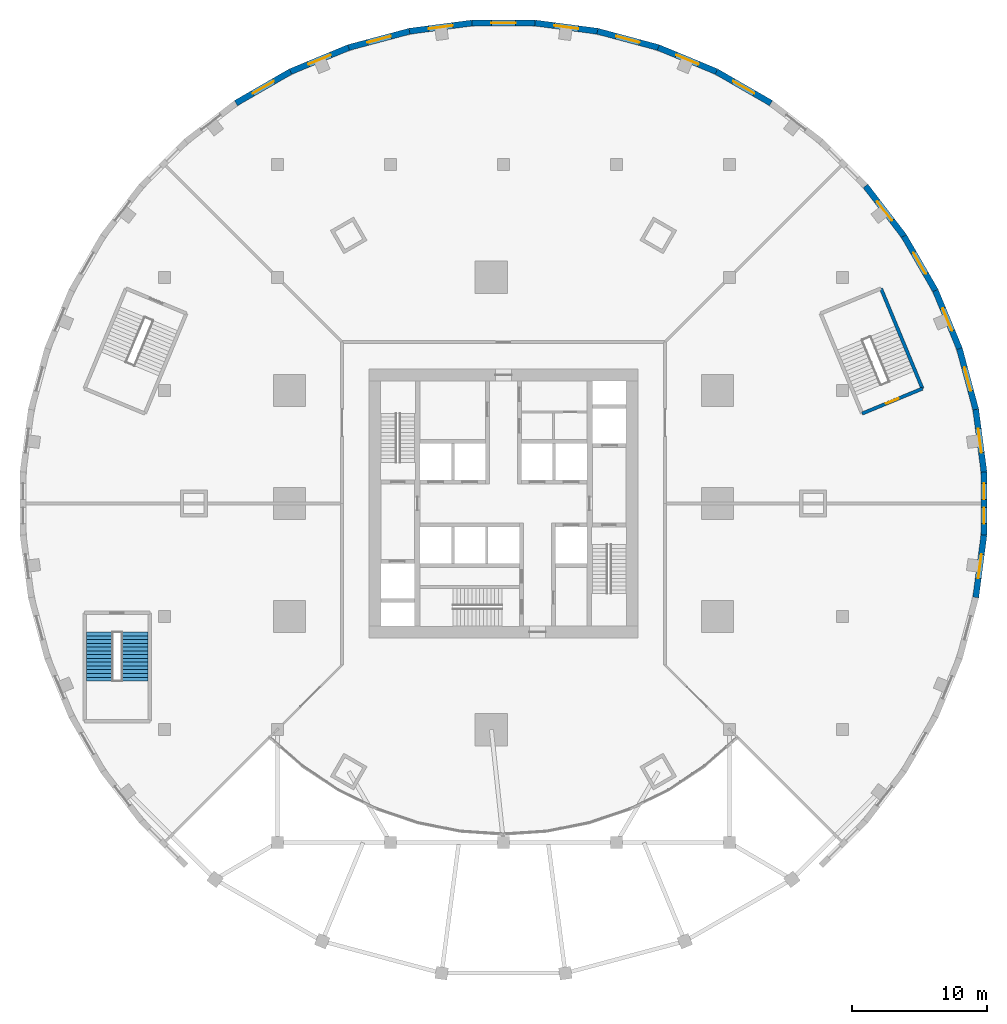
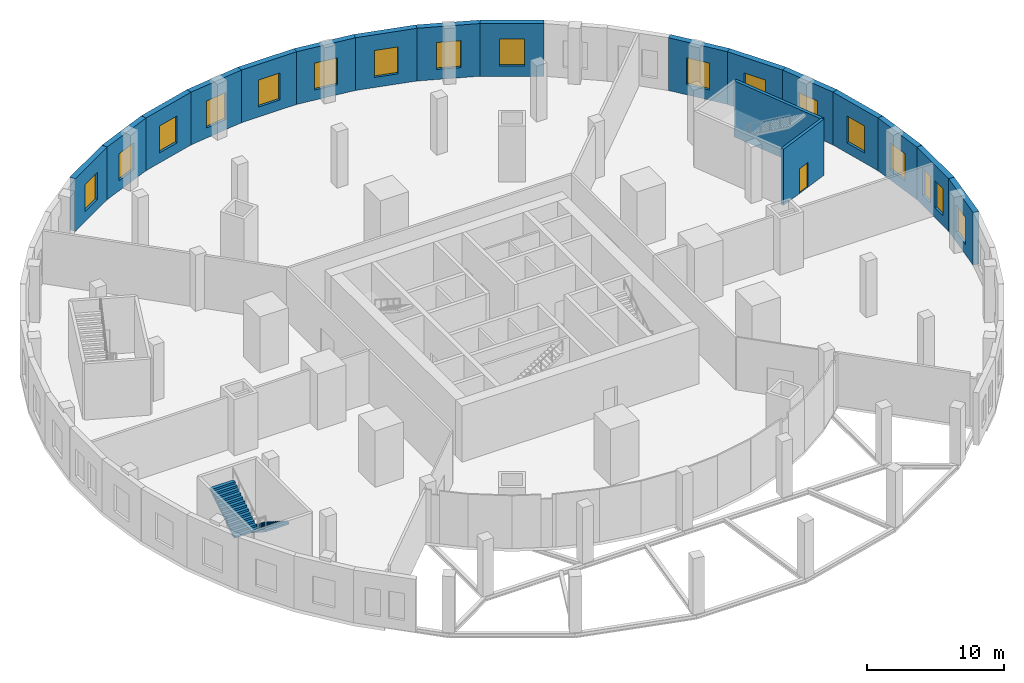
# One storey, part 7 of 11: 18 walls, 17 windows, 2 stair flights, 1 door, 18 openings, 1 element without a shape of its own.
"""IFC4 building model written with IfcOpenShell, lengths in metres."""

from ifc_helpers import new_model, si_unit, direction, frame, frame_2d, origin, place, context, subcontext, project, spatial, polyline, rectangle, outline, extrude, material, layer, layer_set, type_object, element, fill, aggregate, save


model = new_model("IFC4")

# Units and contexts
model_context = context("Model", 3, precision=1e-05, world=origin(), true_north=direction((0.0, 1.0)))
body_context = subcontext(model_context, "Body", "Model", "MODEL_VIEW")
ifc_project = project(units=[si_unit("LENGTHUNIT", "METRE"), si_unit("AREAUNIT", "SQUARE_METRE"), si_unit("VOLUMEUNIT", "CUBIC_METRE"), si_unit("PLANEANGLEUNIT", "RADIAN"), si_unit("MASSUNIT", "GRAM", prefix="KILO")], contexts=[model_context])

# Site, building, storey
site_placement = place(None, origin())
site = spatial("IfcSite", under=ifc_project, at=site_placement, CompositionType="ELEMENT")
building_placement = place(site_placement, origin())
building = spatial("IfcBuilding", under=site, at=building_placement, Name="Golbaran Civic Tower", CompositionType="ELEMENT")
storey_placement = place(building_placement, frame((0.0, 0.0, 11.0)))
storey = spatial("IfcBuildingStorey", under=building, at=storey_placement, Name="L02", CompositionType="ELEMENT", Elevation=11.0)

# Wall, opening, door
ifc_material_1 = material(Name="Concrete C50/60", Category="concrete")
ifc_layer_1 = layer(ifc_material_1, 0.25, Name="Concrete C50/60")
ifc_layer_set_1 = layer_set([ifc_layer_1], Name="Concrete C50/60")
wall_type_1 = type_object("IfcWallType", Name="STAIR ENCLOSURE WALL CONCRETE 250", PredefinedType="SOLIDWALL", material=ifc_layer_set_1)
wall_1_placement = place(storey_placement, frame((31.12744140625, 8.536865234375, 0.0), z_axis=(0.0, 0.0, 1.0), x_axis=(-0.923880627248, -0.382680789426, 0.0)))
wall_1 = element("IfcWall", 1, at=wall_1_placement, inside=storey, type_object=wall_type_1, Name="Stair P1 enclosure A L02", PredefinedType="SOLIDWALL", context=body_context, shape_type="SweptSolid", body=[
    extrude(rectangle(XDim=4.849853515625, YDim=0.25, at=frame_2d((2.4248046875, 0.0))), origin(), (0.0, 0.0, 1.0), 5.0),
])
opening_1_placement = place(wall_1_placement, frame((1.925048828125, 0.0, 0.0)))
opening_1 = element("IfcOpeningElement", 2, at=opening_1_placement, cuts=wall_1, Name="Opening L02.P1", PredefinedType="OPENING", context=body_context, shape_type="SweptSolid", body=[
    extrude(rectangle(XDim=1.0, YDim=2.199951171875, at=frame_2d((0.5, 1.10009765625))), frame((0.0, 0.135009765625, 0.0), z_axis=(0.0, -1.0, 0.0), x_axis=(1.0, 0.0, 0.0)), (0.0, 0.0, 1.0), 0.27001953125),
])
ifc_material_2 = material(Name="Timber door set in steel frame", Category="steel")
door_type = type_object("IfcDoorType", Name="STAIR DOOR 1000x2200", OperationType="SINGLE_SWING_LEFT", PredefinedType="DOOR", material=ifc_material_2)
door_placement = place(opening_1_placement, origin())
door = element("IfcDoor", 3, at=door_placement, inside=storey, type_object=door_type, Name="Stair P1 door", OperationType="SINGLE_SWING_RIGHT", OverallHeight=2.199951171875, OverallWidth=1.0, PredefinedType="DOOR", context=body_context, shape_type="SweptSolid", body=[
    extrude(rectangle(XDim=1.0, YDim=2.199951171875, at=frame_2d((0.5, 1.10009765625))), frame((0.0, 0.02490234375, 0.0), z_axis=(0.0, -1.0, 0.0), x_axis=(1.0, 0.0, 0.0)), (0.0, 0.0, 1.0), 0.050048828125),
])
fill(opening_1, door)

# Wall
wall_2_placement = place(storey_placement, frame((28.046875, 15.97412109375, 0.0), z_axis=(0.0, 0.0, 1.0), x_axis=(0.382678572144, -0.923881545666, 0.0)))
element("IfcWall", 4, at=wall_2_placement, inside=storey, type_object=wall_type_1, Name="Stair P1 enclosure D L02", PredefinedType="SOLIDWALL", context=body_context, shape_type="SweptSolid", body=[
    extrude(rectangle(XDim=8.050048828125, YDim=0.25, at=frame_2d((4.02490234375, 0.0))), origin(), (0.0, 0.0, 1.0), 5.0),
])

# Wall, opening, window
ifc_material_3 = material(Name="Terracotta brick", Category="masonry")
ifc_layer_2 = layer(ifc_material_3, 0.449951171875, Name="Terracotta brick")
ifc_layer_set_2 = layer_set([ifc_layer_2], Name="Terracotta brick")
wall_type_2 = type_object("IfcWallType", Name="TERRACOTTA BRICK FACADE WALL 450", PredefinedType="SOLIDWALL", material=ifc_layer_set_2)
wall_3_placement = place(storey_placement, frame((35.698486328125, 2.33984375, 0.0), z_axis=(0.0, 0.0, 1.0), x_axis=(-0.130536838198, 0.991443459746, 0.0)))
wall_3 = element("IfcWall", 5, at=wall_3_placement, inside=storey, type_object=wall_type_2, Name="Podium wall L02 facet 1", PredefinedType="SOLIDWALL", context=body_context, shape_type="SweptSolid", body=[
    extrude(rectangle(XDim=4.679443359375, YDim=0.449951171875, at=frame_2d((2.33984375, 0.0))), origin(), (0.0, 0.0, 1.0), 4.699951171875),
])
opening_2_placement = place(wall_3_placement, frame((1.439697265625, 0.0, 0.89990234375)))
opening_2 = element("IfcOpeningElement", 6, at=opening_2_placement, cuts=wall_3, Name="Opening L02.W01", PredefinedType="OPENING", context=body_context, shape_type="SweptSolid", body=[
    extrude(rectangle(XDim=1.800048828125, YDim=2.39990234375, at=frame_2d((0.89990234375, 1.199951171875))), frame((0.0, 0.23486328125, 0.0), z_axis=(0.0, -1.0, 0.0), x_axis=(1.0, 0.0, 0.0)), (0.0, 0.0, 1.0), 0.469970703125),
])
ifc_material_4 = material(Name="Aluminium frame, clear glass", Category="aluminium")
window_type_1 = type_object("IfcWindowType", Name="PODIUM WINDOW 1800x2400", PartitioningType="SINGLE_PANEL", PredefinedType="WINDOW", material=ifc_material_4)
window_1_placement = place(opening_2_placement, origin())
window_1 = element("IfcWindow", 7, at=window_1_placement, inside=storey, type_object=window_type_1, Name="Podium window L02 facet 1", OverallHeight=2.39990234375, OverallWidth=1.800048828125, PartitioningType="SINGLE_PANEL", PredefinedType="WINDOW", context=body_context, shape_type="SweptSolid", body=[
    extrude(rectangle(XDim=1.800048828125, YDim=2.39990234375, at=frame_2d((0.89990234375, 1.199951171875))), frame((0.0, 0.030029296875, 0.0), z_axis=(0.0, -1.0, 0.0), x_axis=(1.0, 0.0, 0.0)), (0.0, 0.0, 1.0), 0.06005859375),
])
fill(opening_2, window_1)

wall_4_placement = place(storey_placement, frame((35.087646484375, 6.979248046875, 0.0), z_axis=(0.0, 0.0, 1.0), x_axis=(-0.258815185258, 0.965926860523, 0.0)))
wall_4 = element("IfcWall", 8, at=wall_4_placement, inside=storey, type_object=wall_type_2, Name="Podium wall L02 facet 2", PredefinedType="SOLIDWALL", context=body_context, shape_type="SweptSolid", body=[
    extrude(rectangle(XDim=4.6796875, YDim=0.449951171875, at=frame_2d((2.33984375, 0.0))), origin(), (0.0, 0.0, 1.0), 4.699951171875),
])
opening_3_placement = place(wall_4_placement, frame((1.439697265625, 0.0, 0.89990234375)))
opening_3 = element("IfcOpeningElement", 9, at=opening_3_placement, cuts=wall_4, Name="Opening L02.W02", PredefinedType="OPENING", context=body_context, shape_type="SweptSolid", body=[
    extrude(rectangle(XDim=1.800048828125, YDim=2.39990234375, at=frame_2d((0.89990234375, 1.199951171875))), frame((0.0, 0.23486328125, 0.0), z_axis=(0.0, -1.0, 0.0), x_axis=(1.0, 0.0, 0.0)), (0.0, 0.0, 1.0), 0.469970703125),
])
window_2_placement = place(opening_3_placement, origin())
window_2 = element("IfcWindow", 10, at=window_2_placement, inside=storey, type_object=window_type_1, Name="Podium window L02 facet 2", OverallHeight=2.39990234375, OverallWidth=1.800048828125, PartitioningType="SINGLE_PANEL", PredefinedType="WINDOW", context=body_context, shape_type="SweptSolid", body=[
    extrude(rectangle(XDim=1.800048828125, YDim=2.39990234375, at=frame_2d((0.89990234375, 1.199951171875))), frame((0.0, 0.030029296875, 0.0), z_axis=(0.0, -1.0, 0.0), x_axis=(1.0, 0.0, 0.0)), (0.0, 0.0, 1.0), 0.06005859375),
])
fill(opening_3, window_2)

wall_5_placement = place(storey_placement, frame((33.87646484375, 11.49951171875, 0.0), z_axis=(0.0, 0.0, 1.0), x_axis=(-0.382669718086, 0.923885213032, 0.0)))
wall_5 = element("IfcWall", 11, at=wall_5_placement, inside=storey, type_object=wall_type_2, Name="Podium wall L02 facet 3", PredefinedType="SOLIDWALL", context=body_context, shape_type="SweptSolid", body=[
    extrude(rectangle(XDim=4.6796875, YDim=0.449951171875, at=frame_2d((2.33984375, 0.0))), origin(), (0.0, 0.0, 1.0), 4.699951171875),
])
opening_4_placement = place(wall_5_placement, frame((1.439697265625, 0.0, 0.89990234375)))
opening_4 = element("IfcOpeningElement", 12, at=opening_4_placement, cuts=wall_5, Name="Opening L02.W03", PredefinedType="OPENING", context=body_context, shape_type="SweptSolid", body=[
    extrude(rectangle(XDim=1.800048828125, YDim=2.39990234375, at=frame_2d((0.89990234375, 1.199951171875))), frame((0.0, 0.23486328125, 0.0), z_axis=(0.0, -1.0, 0.0), x_axis=(1.0, 0.0, 0.0)), (0.0, 0.0, 1.0), 0.469970703125),
])
window_3_placement = place(opening_4_placement, origin())
window_3 = element("IfcWindow", 13, at=window_3_placement, inside=storey, type_object=window_type_1, Name="Podium window L02 facet 3", OverallHeight=2.39990234375, OverallWidth=1.800048828125, PartitioningType="SINGLE_PANEL", PredefinedType="WINDOW", context=body_context, shape_type="SweptSolid", body=[
    extrude(rectangle(XDim=1.800048828125, YDim=2.39990234375, at=frame_2d((0.89990234375, 1.199951171875))), frame((0.0, 0.030029296875, 0.0), z_axis=(0.0, -1.0, 0.0), x_axis=(1.0, 0.0, 0.0)), (0.0, 0.0, 1.0), 0.06005859375),
])
fill(opening_4, window_3)

wall_6_placement = place(storey_placement, frame((32.085693359375, 15.822998046875, 0.0), z_axis=(0.0, 0.0, 1.0), x_axis=(-0.500022025083, 0.866012687223, 0.0)))
wall_6 = element("IfcWall", 14, at=wall_6_placement, inside=storey, type_object=wall_type_2, Name="Podium wall L02 facet 4", PredefinedType="SOLIDWALL", context=body_context, shape_type="SweptSolid", body=[
    extrude(rectangle(XDim=4.679443359375, YDim=0.449951171875, at=frame_2d((2.33984375, 0.0))), origin(), (0.0, 0.0, 1.0), 4.699951171875),
])
opening_5_placement = place(wall_6_placement, frame((1.439697265625, 0.0, 0.89990234375)))
opening_5 = element("IfcOpeningElement", 15, at=opening_5_placement, cuts=wall_6, Name="Opening L02.W04", PredefinedType="OPENING", context=body_context, shape_type="SweptSolid", body=[
    extrude(rectangle(XDim=1.800048828125, YDim=2.39990234375, at=frame_2d((0.89990234375, 1.199951171875))), frame((0.0, 0.23486328125, 0.0), z_axis=(0.0, -1.0, 0.0), x_axis=(1.0, 0.0, 0.0)), (0.0, 0.0, 1.0), 0.469970703125),
])
window_4_placement = place(opening_5_placement, origin())
window_4 = element("IfcWindow", 16, at=window_4_placement, inside=storey, type_object=window_type_1, Name="Podium window L02 facet 4", OverallHeight=2.39990234375, OverallWidth=1.800048828125, PartitioningType="SINGLE_PANEL", PredefinedType="WINDOW", context=body_context, shape_type="SweptSolid", body=[
    extrude(rectangle(XDim=1.800048828125, YDim=2.39990234375, at=frame_2d((0.89990234375, 1.199951171875))), frame((0.0, 0.030029296875, 0.0), z_axis=(0.0, -1.0, 0.0), x_axis=(1.0, 0.0, 0.0)), (0.0, 0.0, 1.0), 0.06005859375),
])
fill(opening_5, window_4)

wall_7_placement = place(storey_placement, frame((29.745849609375, 19.87548828125, 0.0), z_axis=(0.0, 0.0, 1.0), x_axis=(-0.608769916927, 0.79334682721, 0.0)))
wall_7 = element("IfcWall", 17, at=wall_7_placement, inside=storey, type_object=wall_type_2, Name="Podium wall L02 facet 5", PredefinedType="SOLIDWALL", context=body_context, shape_type="SweptSolid", body=[
    extrude(rectangle(XDim=4.6796875, YDim=0.449951171875, at=frame_2d((2.33984375, 0.0))), origin(), (0.0, 0.0, 1.0), 4.699951171875),
])
opening_6_placement = place(wall_7_placement, frame((1.439697265625, 0.0, 0.89990234375)))
opening_6 = element("IfcOpeningElement", 18, at=opening_6_placement, cuts=wall_7, Name="Opening L02.W05", PredefinedType="OPENING", context=body_context, shape_type="SweptSolid", body=[
    extrude(rectangle(XDim=1.800048828125, YDim=2.39990234375, at=frame_2d((0.89990234375, 1.199951171875))), frame((0.0, 0.23486328125, 0.0), z_axis=(0.0, -1.0, 0.0), x_axis=(1.0, 0.0, 0.0)), (0.0, 0.0, 1.0), 0.469970703125),
])
window_5_placement = place(opening_6_placement, origin())
window_5 = element("IfcWindow", 19, at=window_5_placement, inside=storey, type_object=window_type_1, Name="Podium window L02 facet 5", OverallHeight=2.39990234375, OverallWidth=1.800048828125, PartitioningType="SINGLE_PANEL", PredefinedType="WINDOW", context=body_context, shape_type="SweptSolid", body=[
    extrude(rectangle(XDim=1.800048828125, YDim=2.39990234375, at=frame_2d((0.89990234375, 1.199951171875))), frame((0.0, 0.030029296875, 0.0), z_axis=(0.0, -1.0, 0.0), x_axis=(1.0, 0.0, 0.0)), (0.0, 0.0, 1.0), 0.06005859375),
])
fill(opening_6, window_5)

wall_8_placement = place(storey_placement, frame((19.87548828125, 29.745849609375, 0.0), z_axis=(0.0, 0.0, 1.0), x_axis=(-0.866012687223, 0.500022025083, 0.0)))
wall_8 = element("IfcWall", 20, at=wall_8_placement, inside=storey, type_object=wall_type_2, Name="Podium wall L02 facet 8", PredefinedType="SOLIDWALL", context=body_context, shape_type="SweptSolid", body=[
    extrude(rectangle(XDim=4.679443359375, YDim=0.449951171875, at=frame_2d((2.33984375, 0.0))), origin(), (0.0, 0.0, 1.0), 4.699951171875),
])
opening_7_placement = place(wall_8_placement, frame((1.439697265625, 0.0, 0.89990234375)))
opening_7 = element("IfcOpeningElement", 21, at=opening_7_placement, cuts=wall_8, Name="Opening L02.W09", PredefinedType="OPENING", context=body_context, shape_type="SweptSolid", body=[
    extrude(rectangle(XDim=1.800048828125, YDim=2.39990234375, at=frame_2d((0.89990234375, 1.199951171875))), frame((0.0, 0.23486328125, 0.0), z_axis=(0.0, -1.0, 0.0), x_axis=(1.0, 0.0, 0.0)), (0.0, 0.0, 1.0), 0.469970703125),
])
window_6_placement = place(opening_7_placement, origin())
window_6 = element("IfcWindow", 22, at=window_6_placement, inside=storey, type_object=window_type_1, Name="Podium window L02 facet 8", OverallHeight=2.39990234375, OverallWidth=1.800048828125, PartitioningType="SINGLE_PANEL", PredefinedType="WINDOW", context=body_context, shape_type="SweptSolid", body=[
    extrude(rectangle(XDim=1.800048828125, YDim=2.39990234375, at=frame_2d((0.89990234375, 1.199951171875))), frame((0.0, 0.030029296875, 0.0), z_axis=(0.0, -1.0, 0.0), x_axis=(1.0, 0.0, 0.0)), (0.0, 0.0, 1.0), 0.06005859375),
])
fill(opening_7, window_6)

wall_9_placement = place(storey_placement, frame((15.822998046875, 32.085693359375, 0.0), z_axis=(0.0, 0.0, 1.0), x_axis=(-0.923885213032, 0.382669718086, 0.0)))
wall_9 = element("IfcWall", 23, at=wall_9_placement, inside=storey, type_object=wall_type_2, Name="Podium wall L02 facet 9", PredefinedType="SOLIDWALL", context=body_context, shape_type="SweptSolid", body=[
    extrude(rectangle(XDim=4.6796875, YDim=0.449951171875, at=frame_2d((2.33984375, 0.0))), origin(), (0.0, 0.0, 1.0), 4.699951171875),
])
opening_8_placement = place(wall_9_placement, frame((1.439697265625, 0.0, 0.89990234375)))
opening_8 = element("IfcOpeningElement", 24, at=opening_8_placement, cuts=wall_9, Name="Opening L02.W10", PredefinedType="OPENING", context=body_context, shape_type="SweptSolid", body=[
    extrude(rectangle(XDim=1.800048828125, YDim=2.39990234375, at=frame_2d((0.89990234375, 1.199951171875))), frame((0.0, 0.23486328125, 0.0), z_axis=(0.0, -1.0, 0.0), x_axis=(1.0, 0.0, 0.0)), (0.0, 0.0, 1.0), 0.469970703125),
])
window_7_placement = place(opening_8_placement, origin())
window_7 = element("IfcWindow", 25, at=window_7_placement, inside=storey, type_object=window_type_1, Name="Podium window L02 facet 9", OverallHeight=2.39990234375, OverallWidth=1.800048828125, PartitioningType="SINGLE_PANEL", PredefinedType="WINDOW", context=body_context, shape_type="SweptSolid", body=[
    extrude(rectangle(XDim=1.800048828125, YDim=2.39990234375, at=frame_2d((0.89990234375, 1.199951171875))), frame((0.0, 0.030029296875, 0.0), z_axis=(0.0, -1.0, 0.0), x_axis=(1.0, 0.0, 0.0)), (0.0, 0.0, 1.0), 0.06005859375),
])
fill(opening_8, window_7)

wall_10_placement = place(storey_placement, frame((11.49951171875, 33.87646484375, 0.0), z_axis=(0.0, 0.0, 1.0), x_axis=(-0.965926860523, 0.258815185258, 0.0)))
wall_10 = element("IfcWall", 26, at=wall_10_placement, inside=storey, type_object=wall_type_2, Name="Podium wall L02 facet 10", PredefinedType="SOLIDWALL", context=body_context, shape_type="SweptSolid", body=[
    extrude(rectangle(XDim=4.6796875, YDim=0.449951171875, at=frame_2d((2.33984375, 0.0))), origin(), (0.0, 0.0, 1.0), 4.699951171875),
])
opening_9_placement = place(wall_10_placement, frame((1.439697265625, 0.0, 0.89990234375)))
opening_9 = element("IfcOpeningElement", 27, at=opening_9_placement, cuts=wall_10, Name="Opening L02.W11", PredefinedType="OPENING", context=body_context, shape_type="SweptSolid", body=[
    extrude(rectangle(XDim=1.800048828125, YDim=2.39990234375, at=frame_2d((0.89990234375, 1.199951171875))), frame((0.0, 0.23486328125, 0.0), z_axis=(0.0, -1.0, 0.0), x_axis=(1.0, 0.0, 0.0)), (0.0, 0.0, 1.0), 0.469970703125),
])
window_8_placement = place(opening_9_placement, origin())
window_8 = element("IfcWindow", 28, at=window_8_placement, inside=storey, type_object=window_type_1, Name="Podium window L02 facet 10", OverallHeight=2.39990234375, OverallWidth=1.800048828125, PartitioningType="SINGLE_PANEL", PredefinedType="WINDOW", context=body_context, shape_type="SweptSolid", body=[
    extrude(rectangle(XDim=1.800048828125, YDim=2.39990234375, at=frame_2d((0.89990234375, 1.199951171875))), frame((0.0, 0.030029296875, 0.0), z_axis=(0.0, -1.0, 0.0), x_axis=(1.0, 0.0, 0.0)), (0.0, 0.0, 1.0), 0.06005859375),
])
fill(opening_9, window_8)

wall_11_placement = place(storey_placement, frame((6.979248046875, 35.087646484375, 0.0), z_axis=(0.0, 0.0, 1.0), x_axis=(-0.991443459746, 0.130536838198, 0.0)))
wall_11 = element("IfcWall", 29, at=wall_11_placement, inside=storey, type_object=wall_type_2, Name="Podium wall L02 facet 11", PredefinedType="SOLIDWALL", context=body_context, shape_type="SweptSolid", body=[
    extrude(rectangle(XDim=4.679443359375, YDim=0.449951171875, at=frame_2d((2.33984375, 0.0))), origin(), (0.0, 0.0, 1.0), 4.699951171875),
])
opening_10_placement = place(wall_11_placement, frame((1.439697265625, 0.0, 0.89990234375)))
opening_10 = element("IfcOpeningElement", 30, at=opening_10_placement, cuts=wall_11, Name="Opening L02.W12", PredefinedType="OPENING", context=body_context, shape_type="SweptSolid", body=[
    extrude(rectangle(XDim=1.800048828125, YDim=2.39990234375, at=frame_2d((0.89990234375, 1.199951171875))), frame((0.0, 0.23486328125, 0.0), z_axis=(0.0, -1.0, 0.0), x_axis=(1.0, 0.0, 0.0)), (0.0, 0.0, 1.0), 0.469970703125),
])
window_9_placement = place(opening_10_placement, origin())
window_9 = element("IfcWindow", 31, at=window_9_placement, inside=storey, type_object=window_type_1, Name="Podium window L02 facet 11", OverallHeight=2.39990234375, OverallWidth=1.800048828125, PartitioningType="SINGLE_PANEL", PredefinedType="WINDOW", context=body_context, shape_type="SweptSolid", body=[
    extrude(rectangle(XDim=1.800048828125, YDim=2.39990234375, at=frame_2d((0.89990234375, 1.199951171875))), frame((0.0, 0.030029296875, 0.0), z_axis=(0.0, -1.0, 0.0), x_axis=(1.0, 0.0, 0.0)), (0.0, 0.0, 1.0), 0.06005859375),
])
fill(opening_10, window_9)

wall_12_placement = place(storey_placement, frame((2.33984375, 35.698486328125, 0.0), z_axis=(0.0, 0.0, 1.0), x_axis=(-1.0, 0.0, 0.0)))
wall_12 = element("IfcWall", 32, at=wall_12_placement, inside=storey, type_object=wall_type_2, Name="Podium wall L02 facet 12", PredefinedType="SOLIDWALL", context=body_context, shape_type="SweptSolid", body=[
    extrude(rectangle(XDim=4.6796875, YDim=0.449951171875, at=frame_2d((2.33984375, 0.0))), origin(), (0.0, 0.0, 1.0), 4.699951171875),
])
opening_11_placement = place(wall_12_placement, frame((1.439697265625, 0.0, 0.89990234375)))
opening_11 = element("IfcOpeningElement", 33, at=opening_11_placement, cuts=wall_12, Name="Opening L02.W13", PredefinedType="OPENING", context=body_context, shape_type="SweptSolid", body=[
    extrude(rectangle(XDim=1.800048828125, YDim=2.39990234375, at=frame_2d((0.89990234375, 1.199951171875))), frame((0.0, 0.23486328125, 0.0), z_axis=(0.0, -1.0, 0.0), x_axis=(1.0, 0.0, 0.0)), (0.0, 0.0, 1.0), 0.469970703125),
])
window_10_placement = place(opening_11_placement, origin())
window_10 = element("IfcWindow", 34, at=window_10_placement, inside=storey, type_object=window_type_1, Name="Podium window L02 facet 12", OverallHeight=2.39990234375, OverallWidth=1.800048828125, PartitioningType="SINGLE_PANEL", PredefinedType="WINDOW", context=body_context, shape_type="SweptSolid", body=[
    extrude(rectangle(XDim=1.800048828125, YDim=2.39990234375, at=frame_2d((0.89990234375, 1.199951171875))), frame((0.0, 0.030029296875, 0.0), z_axis=(0.0, -1.0, 0.0), x_axis=(1.0, 0.0, 0.0)), (0.0, 0.0, 1.0), 0.06005859375),
])
fill(opening_11, window_10)

wall_13_placement = place(storey_placement, frame((-2.33984375, 35.698486328125, 0.0), z_axis=(0.0, 0.0, 1.0), x_axis=(-0.991443459746, -0.130536838198, 0.0)))
wall_13 = element("IfcWall", 35, at=wall_13_placement, inside=storey, type_object=wall_type_2, Name="Podium wall L02 facet 13", PredefinedType="SOLIDWALL", context=body_context, shape_type="SweptSolid", body=[
    extrude(rectangle(XDim=4.679443359375, YDim=0.449951171875, at=frame_2d((2.33984375, 0.0))), origin(), (0.0, 0.0, 1.0), 4.699951171875),
])
opening_12_placement = place(wall_13_placement, frame((1.439697265625, 0.0, 0.89990234375)))
opening_12 = element("IfcOpeningElement", 36, at=opening_12_placement, cuts=wall_13, Name="Opening L02.W14", PredefinedType="OPENING", context=body_context, shape_type="SweptSolid", body=[
    extrude(rectangle(XDim=1.800048828125, YDim=2.39990234375, at=frame_2d((0.89990234375, 1.199951171875))), frame((0.0, 0.23486328125, 0.0), z_axis=(0.0, -1.0, 0.0), x_axis=(1.0, 0.0, 0.0)), (0.0, 0.0, 1.0), 0.469970703125),
])
window_11_placement = place(opening_12_placement, origin())
window_11 = element("IfcWindow", 37, at=window_11_placement, inside=storey, type_object=window_type_1, Name="Podium window L02 facet 13", OverallHeight=2.39990234375, OverallWidth=1.800048828125, PartitioningType="SINGLE_PANEL", PredefinedType="WINDOW", context=body_context, shape_type="SweptSolid", body=[
    extrude(rectangle(XDim=1.800048828125, YDim=2.39990234375, at=frame_2d((0.89990234375, 1.199951171875))), frame((0.0, 0.030029296875, 0.0), z_axis=(0.0, -1.0, 0.0), x_axis=(1.0, 0.0, 0.0)), (0.0, 0.0, 1.0), 0.06005859375),
])
fill(opening_12, window_11)

wall_14_placement = place(storey_placement, frame((-6.979248046875, 35.087646484375, 0.0), z_axis=(0.0, 0.0, 1.0), x_axis=(-0.965926860523, -0.258815185258, 0.0)))
wall_14 = element("IfcWall", 38, at=wall_14_placement, inside=storey, type_object=wall_type_2, Name="Podium wall L02 facet 14", PredefinedType="SOLIDWALL", context=body_context, shape_type="SweptSolid", body=[
    extrude(rectangle(XDim=4.6796875, YDim=0.449951171875, at=frame_2d((2.33984375, 0.0))), origin(), (0.0, 0.0, 1.0), 4.699951171875),
])
opening_13_placement = place(wall_14_placement, frame((1.439697265625, 0.0, 0.89990234375)))
opening_13 = element("IfcOpeningElement", 39, at=opening_13_placement, cuts=wall_14, Name="Opening L02.W15", PredefinedType="OPENING", context=body_context, shape_type="SweptSolid", body=[
    extrude(rectangle(XDim=1.800048828125, YDim=2.39990234375, at=frame_2d((0.89990234375, 1.199951171875))), frame((0.0, 0.23486328125, 0.0), z_axis=(0.0, -1.0, 0.0), x_axis=(1.0, 0.0, 0.0)), (0.0, 0.0, 1.0), 0.469970703125),
])
window_12_placement = place(opening_13_placement, origin())
window_12 = element("IfcWindow", 40, at=window_12_placement, inside=storey, type_object=window_type_1, Name="Podium window L02 facet 14", OverallHeight=2.39990234375, OverallWidth=1.800048828125, PartitioningType="SINGLE_PANEL", PredefinedType="WINDOW", context=body_context, shape_type="SweptSolid", body=[
    extrude(rectangle(XDim=1.800048828125, YDim=2.39990234375, at=frame_2d((0.89990234375, 1.199951171875))), frame((0.0, 0.030029296875, 0.0), z_axis=(0.0, -1.0, 0.0), x_axis=(1.0, 0.0, 0.0)), (0.0, 0.0, 1.0), 0.06005859375),
])
fill(opening_13, window_12)

wall_15_placement = place(storey_placement, frame((-11.49951171875, 33.87646484375, 0.0), z_axis=(0.0, 0.0, 1.0), x_axis=(-0.923885213032, -0.382669718086, 0.0)))
wall_15 = element("IfcWall", 41, at=wall_15_placement, inside=storey, type_object=wall_type_2, Name="Podium wall L02 facet 15", PredefinedType="SOLIDWALL", context=body_context, shape_type="SweptSolid", body=[
    extrude(rectangle(XDim=4.6796875, YDim=0.449951171875, at=frame_2d((2.33984375, 0.0))), origin(), (0.0, 0.0, 1.0), 4.699951171875),
])
opening_14_placement = place(wall_15_placement, frame((1.439697265625, 0.0, 0.89990234375)))
opening_14 = element("IfcOpeningElement", 42, at=opening_14_placement, cuts=wall_15, Name="Opening L02.W16", PredefinedType="OPENING", context=body_context, shape_type="SweptSolid", body=[
    extrude(rectangle(XDim=1.800048828125, YDim=2.39990234375, at=frame_2d((0.89990234375, 1.199951171875))), frame((0.0, 0.23486328125, 0.0), z_axis=(0.0, -1.0, 0.0), x_axis=(1.0, 0.0, 0.0)), (0.0, 0.0, 1.0), 0.469970703125),
])
window_13_placement = place(opening_14_placement, origin())
window_13 = element("IfcWindow", 43, at=window_13_placement, inside=storey, type_object=window_type_1, Name="Podium window L02 facet 15", OverallHeight=2.39990234375, OverallWidth=1.800048828125, PartitioningType="SINGLE_PANEL", PredefinedType="WINDOW", context=body_context, shape_type="SweptSolid", body=[
    extrude(rectangle(XDim=1.800048828125, YDim=2.39990234375, at=frame_2d((0.89990234375, 1.199951171875))), frame((0.0, 0.030029296875, 0.0), z_axis=(0.0, -1.0, 0.0), x_axis=(1.0, 0.0, 0.0)), (0.0, 0.0, 1.0), 0.06005859375),
])
fill(opening_14, window_13)

wall_16_placement = place(storey_placement, frame((-15.822998046875, 32.085693359375, 0.0), z_axis=(0.0, 0.0, 1.0), x_axis=(-0.866012687223, -0.500022025083, 0.0)))
wall_16 = element("IfcWall", 44, at=wall_16_placement, inside=storey, type_object=wall_type_2, Name="Podium wall L02 facet 16", PredefinedType="SOLIDWALL", context=body_context, shape_type="SweptSolid", body=[
    extrude(rectangle(XDim=4.679443359375, YDim=0.449951171875, at=frame_2d((2.33984375, 0.0))), origin(), (0.0, 0.0, 1.0), 4.699951171875),
])
opening_15_placement = place(wall_16_placement, frame((1.439697265625, 0.0, 0.89990234375)))
opening_15 = element("IfcOpeningElement", 45, at=opening_15_placement, cuts=wall_16, Name="Opening L02.W17", PredefinedType="OPENING", context=body_context, shape_type="SweptSolid", body=[
    extrude(rectangle(XDim=1.800048828125, YDim=2.39990234375, at=frame_2d((0.89990234375, 1.199951171875))), frame((0.0, 0.23486328125, 0.0), z_axis=(0.0, -1.0, 0.0), x_axis=(1.0, 0.0, 0.0)), (0.0, 0.0, 1.0), 0.469970703125),
])
window_14_placement = place(opening_15_placement, origin())
window_14 = element("IfcWindow", 46, at=window_14_placement, inside=storey, type_object=window_type_1, Name="Podium window L02 facet 16", OverallHeight=2.39990234375, OverallWidth=1.800048828125, PartitioningType="SINGLE_PANEL", PredefinedType="WINDOW", context=body_context, shape_type="SweptSolid", body=[
    extrude(rectangle(XDim=1.800048828125, YDim=2.39990234375, at=frame_2d((0.89990234375, 1.199951171875))), frame((0.0, 0.030029296875, 0.0), z_axis=(0.0, -1.0, 0.0), x_axis=(1.0, 0.0, 0.0)), (0.0, 0.0, 1.0), 0.06005859375),
])
fill(opening_15, window_14)

wall_17_placement = place(storey_placement, frame((35.087646484375, -6.979248046875, 0.0), z_axis=(0.0, 0.0, 1.0), x_axis=(0.130536838198, 0.991443459746, 0.0)))
wall_17 = element("IfcWall", 47, at=wall_17_placement, inside=storey, type_object=wall_type_2, Name="Podium wall L02 facet 47", PredefinedType="SOLIDWALL", context=body_context, shape_type="SweptSolid", body=[
    extrude(rectangle(XDim=4.679443359375, YDim=0.449951171875, at=frame_2d((2.33984375, 0.0))), origin(), (0.0, 0.0, 1.0), 4.699951171875),
])
opening_16_placement = place(wall_17_placement, frame((1.439697265625, 0.0, 0.89990234375)))
opening_16 = element("IfcOpeningElement", 48, at=opening_16_placement, cuts=wall_17, Name="Opening L02.W41", PredefinedType="OPENING", context=body_context, shape_type="SweptSolid", body=[
    extrude(rectangle(XDim=1.800048828125, YDim=2.39990234375, at=frame_2d((0.89990234375, 1.199951171875))), frame((0.0, 0.23486328125, 0.0), z_axis=(0.0, -1.0, 0.0), x_axis=(1.0, 0.0, 0.0)), (0.0, 0.0, 1.0), 0.469970703125),
])
window_15_placement = place(opening_16_placement, origin())
window_15 = element("IfcWindow", 49, at=window_15_placement, inside=storey, type_object=window_type_1, Name="Podium window L02 facet 47", OverallHeight=2.39990234375, OverallWidth=1.800048828125, PartitioningType="SINGLE_PANEL", PredefinedType="WINDOW", context=body_context, shape_type="SweptSolid", body=[
    extrude(rectangle(XDim=1.800048828125, YDim=2.39990234375, at=frame_2d((0.89990234375, 1.199951171875))), frame((0.0, 0.030029296875, 0.0), z_axis=(0.0, -1.0, 0.0), x_axis=(1.0, 0.0, 0.0)), (0.0, 0.0, 1.0), 0.06005859375),
])
fill(opening_16, window_15)

# Wall, openings, windows
wall_18_placement = place(storey_placement, frame((35.698486328125, -2.33984375, 0.0), z_axis=(0.0, 0.0, 1.0), x_axis=(0.0, 1.0, 0.0)))
wall_18 = element("IfcWall", 50, at=wall_18_placement, inside=storey, type_object=wall_type_2, Name="Podium wall L02 facet 48", PredefinedType="SOLIDWALL", context=body_context, shape_type="SweptSolid", body=[
    extrude(rectangle(XDim=4.6796875, YDim=0.449951171875, at=frame_2d((2.33984375, 0.0))), origin(), (0.0, 0.0, 1.0), 4.699951171875),
])
opening_17_placement = place(wall_18_placement, frame((0.840087890625, 0.0, 0.89990234375)))
opening_17 = element("IfcOpeningElement", 51, at=opening_17_placement, cuts=wall_18, Name="Opening L02.W42", PredefinedType="OPENING", context=body_context, shape_type="SweptSolid", body=[
    extrude(rectangle(XDim=1.199951171875, YDim=2.39990234375, at=frame_2d((0.60009765625, 1.199951171875))), frame((0.0, 0.23486328125, 0.0), z_axis=(0.0, -1.0, 0.0), x_axis=(1.0, 0.0, 0.0)), (0.0, 0.0, 1.0), 0.469970703125),
])
opening_18_placement = place(wall_18_placement, frame((2.639892578125, 0.0, 0.89990234375)))
opening_18 = element("IfcOpeningElement", 52, at=opening_18_placement, cuts=wall_18, Name="Opening L02.W43", PredefinedType="OPENING", context=body_context, shape_type="SweptSolid", body=[
    extrude(rectangle(XDim=1.199951171875, YDim=2.39990234375, at=frame_2d((0.60009765625, 1.199951171875))), frame((0.0, 0.23486328125, 0.0), z_axis=(0.0, -1.0, 0.0), x_axis=(1.0, 0.0, 0.0)), (0.0, 0.0, 1.0), 0.469970703125),
])
window_type_2 = type_object("IfcWindowType", Name="PODIUM PAIRED WINDOW 1200x2400", PartitioningType="SINGLE_PANEL", PredefinedType="WINDOW", material=ifc_material_4)
window_16_placement = place(opening_17_placement, origin())
window_16 = element("IfcWindow", 53, at=window_16_placement, inside=storey, type_object=window_type_2, Name="Podium window L02 facet 48a", OverallHeight=2.39990234375, OverallWidth=1.199951171875, PartitioningType="SINGLE_PANEL", PredefinedType="WINDOW", context=body_context, shape_type="SweptSolid", body=[
    extrude(rectangle(XDim=1.199951171875, YDim=2.39990234375, at=frame_2d((0.60009765625, 1.199951171875))), frame((0.0, 0.030029296875, 0.0), z_axis=(0.0, -1.0, 0.0), x_axis=(1.0, 0.0, 0.0)), (0.0, 0.0, 1.0), 0.06005859375),
])
fill(opening_17, window_16)
window_17_placement = place(opening_18_placement, origin())
window_17 = element("IfcWindow", 54, at=window_17_placement, inside=storey, type_object=window_type_2, Name="Podium window L02 facet 48b", OverallHeight=2.39990234375, OverallWidth=1.199951171875, PartitioningType="SINGLE_PANEL", PredefinedType="WINDOW", context=body_context, shape_type="SweptSolid", body=[
    extrude(rectangle(XDim=1.199951171875, YDim=2.39990234375, at=frame_2d((0.60009765625, 1.199951171875))), frame((0.0, 0.030029296875, 0.0), z_axis=(0.0, -1.0, 0.0), x_axis=(1.0, 0.0, 0.0)), (0.0, 0.0, 1.0), 0.06005859375),
])
fill(opening_18, window_17)

# Stair, stair flights
ifc_material_5 = material(Name="Concrete C35/45", Category="concrete")
stair_type = type_object("IfcStairType", Name="EXIT STAIR 4600 x 7800, 5000 RISE", PredefinedType="HALF_TURN_STAIR", material=ifc_material_5)
stair_placement = place(storey_placement, origin())
stair = element("IfcStair", 55, at=stair_placement, inside=storey, type_object=stair_type, Name="Stair P3 L02", PredefinedType="HALF_TURN_STAIR")
stair_flight_type = type_object("IfcStairFlightType", Name="STAIR FLIGHT 2000 WIDE", PredefinedType="STRAIGHT", material=ifc_material_5)
stair_flight_1_placement = place(storey_placement, frame((-27.39990234375, -9.550048828125, 0.0), z_axis=(0.0, 0.0, 1.0), x_axis=(0.0, -1.0, 0.0)))
stair_flight_1 = element("IfcStairFlight", 56, at=stair_flight_1_placement, type_object=stair_flight_type, Name="ST46078-50 flight 1", NumberOfRisers=14, NumberOfTreads=13, PredefinedType="STRAIGHT", RiserHeight=0.178571429, TreadLength=0.28, context=body_context, shape_type="SweptSolid", body=[
    extrude(outline(polyline([(0.0, 0.0), (0.0, 0.178466796875), (0.280029296875, 0.178466796875), (0.280029296875, 0.357177734375), (0.56005859375, 0.357177734375), (0.56005859375, 0.53564453125), (0.840087890625, 0.53564453125), (0.840087890625, 0.71435546875), (1.1201171875, 0.71435546875), (1.1201171875, 0.892822265625), (1.39990234375, 0.892822265625), (1.39990234375, 1.071533203125), (1.679931640625, 1.071533203125), (1.679931640625, 1.25), (1.9599609375, 1.25), (1.9599609375, 1.428466796875), (2.239990234375, 1.428466796875), (2.239990234375, 1.607177734375), (2.52001953125, 1.607177734375), (2.52001953125, 1.78564453125), (2.800048828125, 1.78564453125), (2.800048828125, 1.96435546875), (3.080078125, 1.96435546875), (3.080078125, 2.142822265625), (3.360107421875, 2.142822265625), (3.360107421875, 2.321533203125), (3.639892578125, 2.321533203125), (3.639892578125, 2.5), (3.639892578125, 2.1435546875), (0.27880859375, 0.0), (0.0, 0.0)])), frame((0.0, 1.0, 0.0), z_axis=(0.0, -1.0, 0.0), x_axis=(1.0, 0.0, 0.0)), (0.0, 0.0, 1.0), 2.0),
])
stair_flight_2_placement = place(storey_placement, frame((-30.0, -13.18994140625, 2.5), z_axis=(0.0, 0.0, 1.0), x_axis=(0.0, 1.0, 0.0)))
stair_flight_2 = element("IfcStairFlight", 57, at=stair_flight_2_placement, type_object=stair_flight_type, Name="ST46078-50 flight 2", NumberOfRisers=14, NumberOfTreads=13, PredefinedType="STRAIGHT", RiserHeight=0.178571429, TreadLength=0.28, context=body_context, shape_type="SweptSolid", body=[
    extrude(outline(polyline([(0.0, 0.0), (0.0, 0.178466796875), (0.280029296875, 0.178466796875), (0.280029296875, 0.357177734375), (0.56005859375, 0.357177734375), (0.56005859375, 0.53564453125), (0.840087890625, 0.53564453125), (0.840087890625, 0.71435546875), (1.1201171875, 0.71435546875), (1.1201171875, 0.892822265625), (1.39990234375, 0.892822265625), (1.39990234375, 1.071533203125), (1.679931640625, 1.071533203125), (1.679931640625, 1.25), (1.9599609375, 1.25), (1.9599609375, 1.428466796875), (2.239990234375, 1.428466796875), (2.239990234375, 1.607177734375), (2.52001953125, 1.607177734375), (2.52001953125, 1.78564453125), (2.800048828125, 1.78564453125), (2.800048828125, 1.96435546875), (3.080078125, 1.96435546875), (3.080078125, 2.142822265625), (3.360107421875, 2.142822265625), (3.360107421875, 2.321533203125), (3.639892578125, 2.321533203125), (3.639892578125, 2.5), (3.639892578125, 2.1435546875), (0.27880859375, 0.0), (0.0, 0.0)])), frame((0.0, 1.0, 0.0), z_axis=(0.0, -1.0, 0.0), x_axis=(1.0, 0.0, 0.0)), (0.0, 0.0, 1.0), 2.0),
])
aggregate(stair, [stair_flight_1, stair_flight_2])

save(model, "model.ifc")
